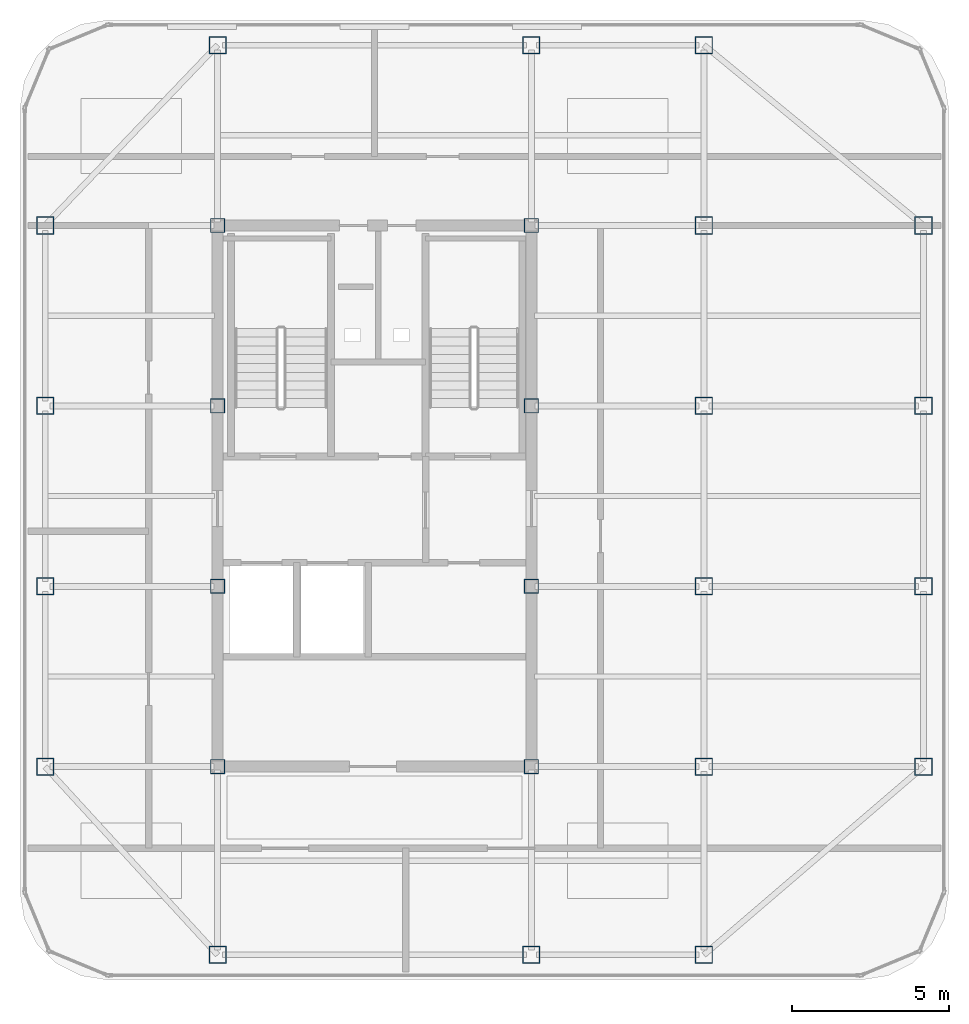
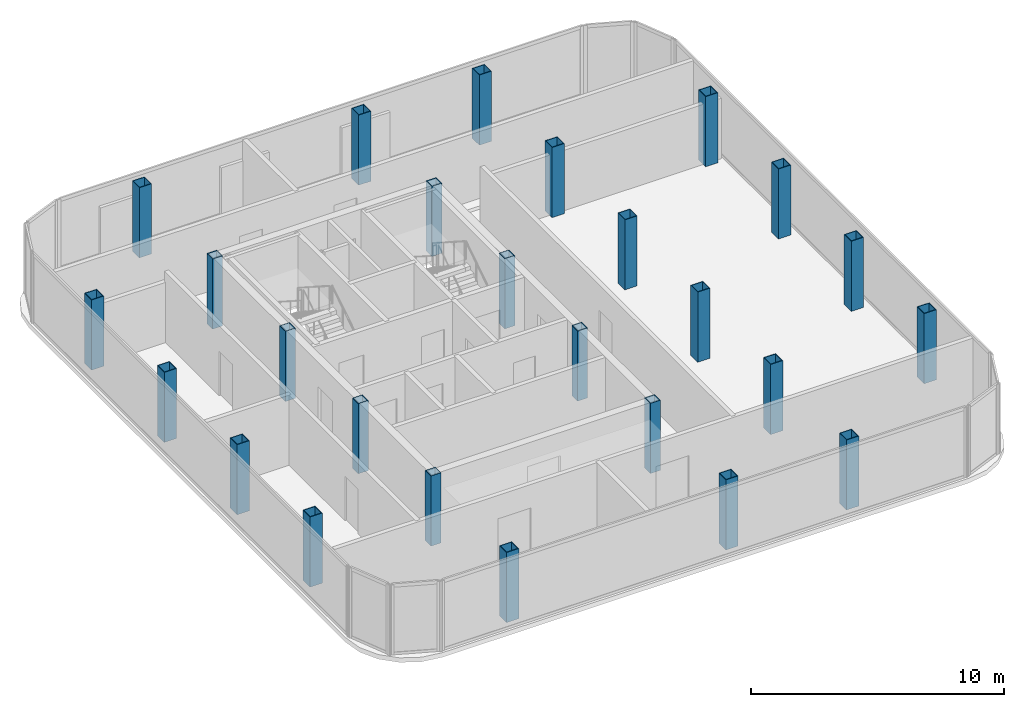
# One storey, part 1 of 11: 26 columns.
"""IFC4 building model written with IfcOpenShell, lengths in metres."""

import ifcopenshell
import ifcopenshell.guid

model = None  # the IFC model being written
_history = None  # IfcOwnerHistory: only IFC2X3 demands one
_inside = {}  # id of a spatial element -> (the spatial element, [elements in it])
_under = {}  # id of a project, library or spatial element -> (it, [spatial elements below it])
_declared = {}  # id of a project -> (the project, [libraries it declares])
_typed = {}  # id of a type object -> (the type object, [elements of that type])
_made_of = {}  # id of a material, layer set ... -> (it, [elements and type objects made of it])


def new_model(schema):
    """Start an empty IFC model of exactly this schema.

    Asked for "IFC4X3", IfcOpenShell would pick the latest addendum, in which some entities
    have other attributes; the version numbers below select the first issue.
    IFC2X3 requires an IfcOwnerHistory on every rooted entity: one is made here for all.
    """
    global model, _history
    if schema == "IFC4X3":
        model = ifcopenshell.file(schema_version=(4, 3, 0, 0))
    else:
        model = ifcopenshell.file(schema=schema)
    _inside.clear()
    _under.clear()
    _declared.clear()
    _typed.clear()
    _made_of.clear()
    _history = None
    if model.schema == "IFC2X3":
        org = make("IfcOrganization", Name="unknown")
        user = make(
            "IfcPersonAndOrganization",
            ThePerson=make("IfcPerson", FamilyName="unknown"),
            TheOrganization=org,
        )
        app = make(
            "IfcApplication",
            ApplicationDeveloper=org,
            Version="unknown",
            ApplicationFullName="unknown",
            ApplicationIdentifier="unknown",
        )
        _history = make(
            "IfcOwnerHistory",
            OwningUser=user,
            OwningApplication=app,
            ChangeAction="ADDED",
            CreationDate=0,
        )
    return model


def make(cls, **values):
    """One entity of the class cls with the attributes given. An attribute that is None is left unset."""
    return model.create_entity(
        cls, **{name: value for name, value in values.items() if value is not None}
    )


def rooted(cls, **values):
    """An entity with a GlobalId (a new one), such as an element, a storey or a relation."""
    return make(cls, GlobalId=ifcopenshell.guid.new(), OwnerHistory=_history, **values)


def si_unit(unit_type, name, prefix=None):
    """IfcSIUnit, for example si_unit("LENGTHUNIT", "METRE", prefix="MILLI")."""
    return make("IfcSIUnit", UnitType=unit_type, Prefix=prefix, Name=name)


def assignment(units):
    """IfcUnitAssignment: the units of a project."""
    return None if units is None else make("IfcUnitAssignment", Units=units)


def point(xyz):
    """IfcCartesianPoint."""
    return None if xyz is None else make("IfcCartesianPoint", Coordinates=xyz)


def direction(xyz):
    """IfcDirection."""
    return None if xyz is None else make("IfcDirection", DirectionRatios=xyz)


def frame(location, z_axis=None, x_axis=None):
    """IfcAxis2Placement3D, a coordinate frame: its origin and axes. An axis left out is left unset."""
    return make(
        "IfcAxis2Placement3D",
        Location=point(location),
        Axis=direction(z_axis),
        RefDirection=direction(x_axis),
    )


def frame_2d(location, x_axis=None):
    """IfcAxis2Placement2D, a coordinate frame in the plane: its origin and x axis."""
    return make(
        "IfcAxis2Placement2D", Location=point(location), RefDirection=direction(x_axis)
    )


def origin():
    """The frame at (0, 0, 0) with its axes left unset."""
    return frame((0.0, 0.0, 0.0))


def origin_2d():
    """The frame at (0, 0) in the plane with its x axis left unset."""
    return frame_2d((0.0, 0.0))


def place(relative_to, where):
    """IfcLocalPlacement: puts the frame where relative to a parent placement (None: the world)."""
    return make(
        "IfcLocalPlacement", PlacementRelTo=relative_to, RelativePlacement=where
    )


def context(
    kind, dimensions, precision=None, world=None, true_north=None, identifier=None
):
    """IfcGeometricRepresentationContext, for example the 3D "Model" context."""
    return make(
        "IfcGeometricRepresentationContext",
        ContextIdentifier=identifier,
        ContextType=kind,
        CoordinateSpaceDimension=dimensions,
        Precision=precision,
        WorldCoordinateSystem=world,
        TrueNorth=true_north,
    )


def subcontext(parent, identifier, kind, view, scale=None):
    """IfcGeometricRepresentationSubContext, for example "Body" below "Model"."""
    return make(
        "IfcGeometricRepresentationSubContext",
        ContextIdentifier=identifier,
        ContextType=kind,
        ParentContext=parent,
        TargetScale=scale,
        TargetView=view,
    )


def project(units=None, contexts=None):
    """IfcProject with its units and contexts."""
    return rooted(
        "IfcProject",
        Name="project",
        RepresentationContexts=contexts,
        UnitsInContext=assignment(units),
    )


def spatial(cls, under=None, at=None, **own):
    """A site, building, storey or space (cls), placed at a placement, below another one or the project."""
    s = rooted(cls, ObjectPlacement=at, **own)
    if under is not None:
        _under.setdefault(under.id(), (under, []))[1].append(s)
    return s


def profile(cls, at=None, kind="AREA", **sizes):
    """A parametric profile (cls). Its sizes go by their IFC names, for example OverallWidth=200.0."""
    return make(cls, ProfileType=kind, Position=at, **sizes)


def hollow_rectangle(**sizes):
    """IfcRectangleHollowProfileDef."""
    return profile("IfcRectangleHollowProfileDef", **sizes)


def extrude(swept, where, along, depth):
    """IfcExtrudedAreaSolid: the profile swept, set in the frame where, extruded along a direction by depth."""
    return make(
        "IfcExtrudedAreaSolid",
        SweptArea=swept,
        Position=where,
        ExtrudedDirection=direction(along),
        Depth=depth,
    )


def shape(context_of_items, identifier, shape_type, items):
    """IfcShapeRepresentation: the items that make up one representation, for example the "Body"."""
    return make(
        "IfcShapeRepresentation",
        ContextOfItems=context_of_items,
        RepresentationIdentifier=identifier,
        RepresentationType=shape_type,
        Items=items,
    )


def source(mapping_origin, context_of_items, identifier, shape_type, items):
    """IfcRepresentationMap: a shape defined once, which mapped items show again and again."""
    return make(
        "IfcRepresentationMap",
        MappingOrigin=mapping_origin,
        MappedRepresentation=shape(context_of_items, identifier, shape_type, items),
    )


def transform(
    local_origin,
    x_axis=None,
    y_axis=None,
    z_axis=None,
    scale=None,
    scale2=None,
    scale3=None,
    uniform=True,
):
    """IfcCartesianTransformationOperator3D, or its non-uniform kind. x_axis, y_axis, z_axis: its Axis1, 2, 3."""
    if uniform:
        return make(
            "IfcCartesianTransformationOperator3D",
            Axis1=direction(x_axis),
            Axis2=direction(y_axis),
            LocalOrigin=point(local_origin),
            Scale=scale,
            Axis3=direction(z_axis),
        )
    return make(
        "IfcCartesianTransformationOperator3DnonUniform",
        Axis1=direction(x_axis),
        Axis2=direction(y_axis),
        LocalOrigin=point(local_origin),
        Scale=scale,
        Axis3=direction(z_axis),
        Scale2=scale2,
        Scale3=scale3,
    )


def mapped(mapping_source, mapping_target):
    """IfcMappedItem: shows the shape of a source again, moved by a transform."""
    return make(
        "IfcMappedItem", MappingSource=mapping_source, MappingTarget=mapping_target
    )


def material(Name=None, Category=None):
    """IfcMaterial."""
    return make("IfcMaterial", Name=Name, Category=Category)


def material_profile(
    of_material, cross_section, Name=None, Category=None, Priority=None
):
    """IfcMaterialProfile: a cross section and its material."""
    return make(
        "IfcMaterialProfile",
        Name=Name,
        Material=of_material,
        Profile=cross_section,
        Priority=Priority,
        Category=Category,
    )


def profile_set(profiles, Name=None, composite=None):
    """IfcMaterialProfileSet."""
    return make(
        "IfcMaterialProfileSet",
        Name=Name,
        MaterialProfiles=profiles,
        CompositeProfile=composite,
    )


def made_of(thing, what):
    """Note that an element or type object is made of a material, layer set ...; save() writes the relation."""
    if what is not None:
        _made_of.setdefault(what.id(), (what, []))[1].append(thing)
    return thing


def type_object(cls, material=None, **own):
    """A type object (cls), such as IfcWallType, which elements share."""
    return made_of(rooted(cls, **own), material)


def element(
    cls,
    number,
    at=None,
    inside=None,
    cuts=None,
    type_object=None,
    material=None,
    context=None,
    identifier="Body",
    shape_type=None,
    held_by="IfcProductDefinitionShape",
    body=None,
    shapes=None,
    **own,
):
    """One element of the class cls, such as IfcWall. Its Tag is "e" and its number.

    at: its placement. inside: the storey or other place that contains it. cuts: it is an
    opening in that element (IfcRelVoidsElement). A single representation is given by context,
    identifier, shape_type and body (its items); several are given by shapes. held_by: the class
    of the entity that holds the representations. save() writes the other relations.
    """
    e = rooted(cls, Tag="e%d" % number, ObjectPlacement=at, **own)
    if body is not None:
        shapes = [shape(context, identifier, shape_type, body)]
    if shapes is not None:
        e.Representation = make(held_by, Representations=shapes)
    if inside is not None:
        _inside.setdefault(inside.id(), (inside, []))[1].append(e)
    if cuts is not None:
        rooted(
            "IfcRelVoidsElement", RelatingBuildingElement=cuts, RelatedOpeningElement=e
        )
    if type_object is not None:
        _typed.setdefault(type_object.id(), (type_object, []))[1].append(e)
    return made_of(e, material)


def aggregate(whole, parts):
    """IfcRelAggregates: a whole, such as a stair, and the parts it consists of."""
    return rooted("IfcRelAggregates", RelatingObject=whole, RelatedObjects=parts)


def save(model, path):
    """Write the relations noted so far, then the file.

    IfcRelAggregates (storeys below a building ...), IfcRelContainedInSpatialStructure (elements
    in a storey), IfcRelDefinesByType, IfcRelAssociatesMaterial and IfcRelDeclares: one each for
    every whole, place, type object, material and project.
    """
    for whole, parts in _under.values():
        aggregate(whole, parts)
    for where, things in _inside.values():
        rooted(
            "IfcRelContainedInSpatialStructure",
            RelatedElements=things,
            RelatingStructure=where,
        )
    for kind, things in _typed.values():
        rooted("IfcRelDefinesByType", RelatedObjects=things, RelatingType=kind)
    for what, things in _made_of.values():
        rooted("IfcRelAssociatesMaterial", RelatedObjects=things, RelatingMaterial=what)
    for by, libraries in _declared.values():
        rooted("IfcRelDeclares", RelatingContext=by, RelatedDefinitions=libraries)
    model.write(path)


model = new_model("IFC4")

# Units and contexts
model_context = context("Model", 3, precision=1e-05, world=origin(), true_north=direction((0.0, 1.0)))
body_context = subcontext(model_context, "Body", "Model", "MODEL_VIEW")
ifc_project = project(units=[si_unit("LENGTHUNIT", "METRE"), si_unit("AREAUNIT", "SQUARE_METRE"), si_unit("VOLUMEUNIT", "CUBIC_METRE"), si_unit("PLANEANGLEUNIT", "RADIAN"), si_unit("MASSUNIT", "GRAM", prefix="KILO")], contexts=[model_context])

# Site, building, storey
site_placement = place(None, origin())
site = spatial("IfcSite", under=ifc_project, at=site_placement, CompositionType="ELEMENT")
building_placement = place(site_placement, origin())
building = spatial("IfcBuilding", under=site, at=building_placement, Name="Kolveth Station Tower", CompositionType="ELEMENT")
storey_placement = place(building_placement, frame((0.0, 0.0, 282.10009765625)))
storey = spatial("IfcBuildingStorey", under=building, at=storey_placement, Name="L81", CompositionType="ELEMENT", Elevation=282.10009765625)

# Columns
ifc_material = material(Name="Steel S355", Category="steel")
ifc_material_profile_1 = material_profile(ifc_material, hollow_rectangle(XDim=0.56005859375, YDim=0.56005859375, WallThickness=0.030029296875, at=origin_2d()), Name="BOX560x560x30")
ifc_profile_set_1 = profile_set([ifc_material_profile_1], Name="Steel S355")
column_type_1 = type_object("IfcColumnType", Name="Col_C8", PredefinedType="COLUMN", material=ifc_profile_set_1)
shared_shape_1 = source(origin(), body_context, "Body", "SweptSolid", [
    extrude(hollow_rectangle(XDim=0.56005859375, YDim=0.56005859375, WallThickness=0.030029296875, at=origin_2d()), origin(), (0.0, 0.0, 1.0), 3.3798828125),
])
for number, where, z_axis, x_axis, name in (
    (1, (18.5, 5.5, 0.0), (0.0, 0.0, 1.0), (1.0, 0.0, 0.0), "L81 Tower Column S-X185"),
    (2, (18.5, 34.5, 0.0), (0.0, 0.0, 1.0), (1.0, 0.0, 0.0), "L81 Tower Column N-X185"),
    (3, (28.5, 5.5, 0.0), (0.0, 0.0, 1.0), (1.0, 0.0, 0.0), "L81 Tower Column S-X285"),
    (4, (28.5, 34.5, 0.0), (0.0, 0.0, 1.0), (1.0, 0.0, 0.0), "L81 Tower Column N-X285"),
    (5, (34.0, 5.5, 0.0), (0.0, 0.0, 1.0), (1.0, 0.0, 0.0), "L81 Tower Column S-X340"),
    (6, (34.0, 34.5, 0.0), (0.0, 0.0, 1.0), (1.0, 0.0, 0.0), "L81 Tower Column N-X340"),
    (7, (13.0, 11.5, 0.0), (0.0, 0.0, 1.0), (1.0, 0.0, 0.0), "L81 Tower Column W-Y115"),
    (8, (41.0, 11.5, 0.0), (0.0, 0.0, 1.0), (1.0, 0.0, 0.0), "L81 Tower Column E-Y115"),
    (9, (13.0, 17.25, 0.0), (0.0, 0.0, 1.0), (1.0, 0.0, 0.0), "L81 Tower Column W-Y172"),
    (10, (41.0, 17.25, 0.0), (0.0, 0.0, 1.0), (1.0, 0.0, 0.0), "L81 Tower Column E-Y172"),
    (11, (13.0, 23.0, 0.0), (0.0, 0.0, 1.0), (1.0, 0.0, 0.0), "L81 Tower Column W-Y230"),
    (12, (41.0, 23.0, 0.0), (0.0, 0.0, 1.0), (1.0, 0.0, 0.0), "L81 Tower Column E-Y230"),
    (13, (13.0, 28.75, 0.0), (0.0, 0.0, 1.0), (1.0, 0.0, 0.0), "L81 Tower Column W-Y287"),
    (14, (41.0, 28.75, 0.0), (0.0, 0.0, 1.0), (1.0, 0.0, 0.0), "L81 Tower Column E-Y287"),
    (15, (34.0, 11.5, 0.0), (0.0, 0.0, 1.0), (1.0, 0.0, 0.0), "L81 Tower Column G-340-115"),
    (16, (34.0, 17.25, 0.0), (0.0, 0.0, 1.0), (1.0, 0.0, 0.0), "L81 Tower Column G-340-172"),
    (17, (34.0, 23.0, 0.0), (0.0, 0.0, 1.0), (1.0, 0.0, 0.0), "L81 Tower Column G-340-230"),
    (18, (34.0, 28.75, 0.0), (0.0, 0.0, 1.0), (1.0, 0.0, 0.0), "L81 Tower Column G-340-287"),
):
    element("IfcColumn", number, at=place(storey_placement, frame(where, z_axis=z_axis, x_axis=x_axis)), inside=storey, type_object=column_type_1, Name=name, PredefinedType="COLUMN", context=body_context, shape_type="MappedRepresentation", body=[
        mapped(shared_shape_1, transform((0.0, 0.0, 0.0), x_axis=(1.0, 0.0, 0.0), y_axis=(0.0, 1.0, 0.0), z_axis=(0.0, 0.0, 1.0), scale=1.0)),
    ])
ifc_material_profile_2 = material_profile(ifc_material, hollow_rectangle(XDim=0.4599609375, YDim=0.4599609375, WallThickness=0.02490234375, at=origin_2d()), Name="BOX460x460x25")
ifc_profile_set_2 = profile_set([ifc_material_profile_2], Name="Steel S355")
column_type_2 = type_object("IfcColumnType", Name="Col_C9", PredefinedType="COLUMN", material=ifc_profile_set_2)
shared_shape_2 = source(origin(), body_context, "Body", "SweptSolid", [
    extrude(hollow_rectangle(XDim=0.4599609375, YDim=0.4599609375, WallThickness=0.02490234375, at=origin_2d()), origin(), (0.0, 0.0, 1.0), 3.3798828125),
])
for number, where, z_axis, x_axis, name in (
    (19, (18.5, 11.5, 0.0), (0.0, 0.0, 1.0), (1.0, 0.0, 0.0), "L81 Tower Column G-185-115"),
    (20, (18.5, 17.25, 0.0), (0.0, 0.0, 1.0), (1.0, 0.0, 0.0), "L81 Tower Column G-185-172"),
    (21, (18.5, 23.0, 0.0), (0.0, 0.0, 1.0), (1.0, 0.0, 0.0), "L81 Tower Column G-185-230"),
    (22, (18.5, 28.75, 0.0), (0.0, 0.0, 1.0), (1.0, 0.0, 0.0), "L81 Tower Column G-185-287"),
    (23, (28.5, 11.5, 0.0), (0.0, 0.0, 1.0), (1.0, 0.0, 0.0), "L81 Tower Column G-285-115"),
    (24, (28.5, 17.25, 0.0), (0.0, 0.0, 1.0), (1.0, 0.0, 0.0), "L81 Tower Column G-285-172"),
    (25, (28.5, 23.0, 0.0), (0.0, 0.0, 1.0), (1.0, 0.0, 0.0), "L81 Tower Column G-285-230"),
    (26, (28.5, 28.75, 0.0), (0.0, 0.0, 1.0), (1.0, 0.0, 0.0), "L81 Tower Column G-285-287"),
):
    element("IfcColumn", number, at=place(storey_placement, frame(where, z_axis=z_axis, x_axis=x_axis)), inside=storey, type_object=column_type_2, Name=name, PredefinedType="COLUMN", context=body_context, shape_type="MappedRepresentation", body=[
        mapped(shared_shape_2, transform((0.0, 0.0, 0.0), x_axis=(1.0, 0.0, 0.0), y_axis=(0.0, 1.0, 0.0), z_axis=(0.0, 0.0, 1.0), scale=1.0)),
    ])

save(model, "model.ifc")
